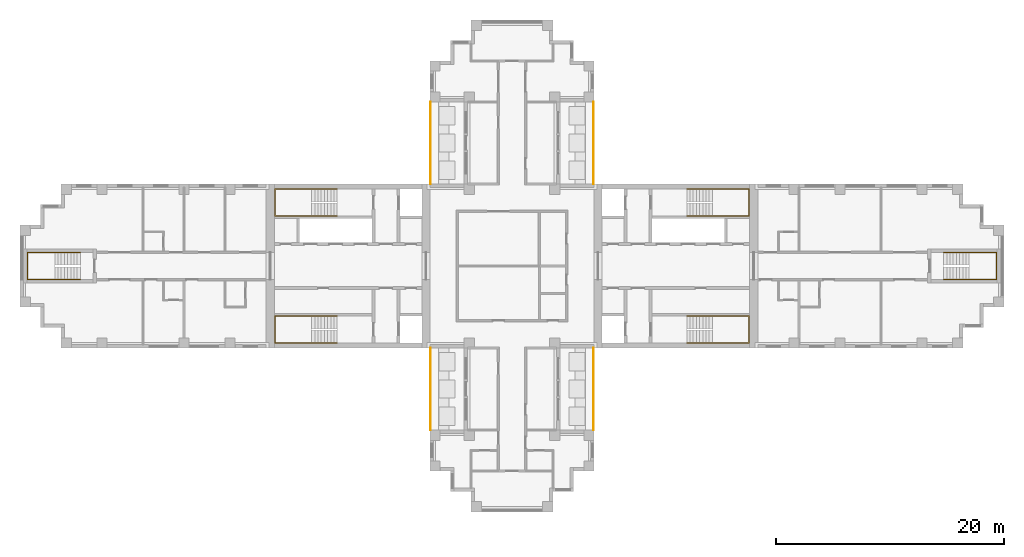
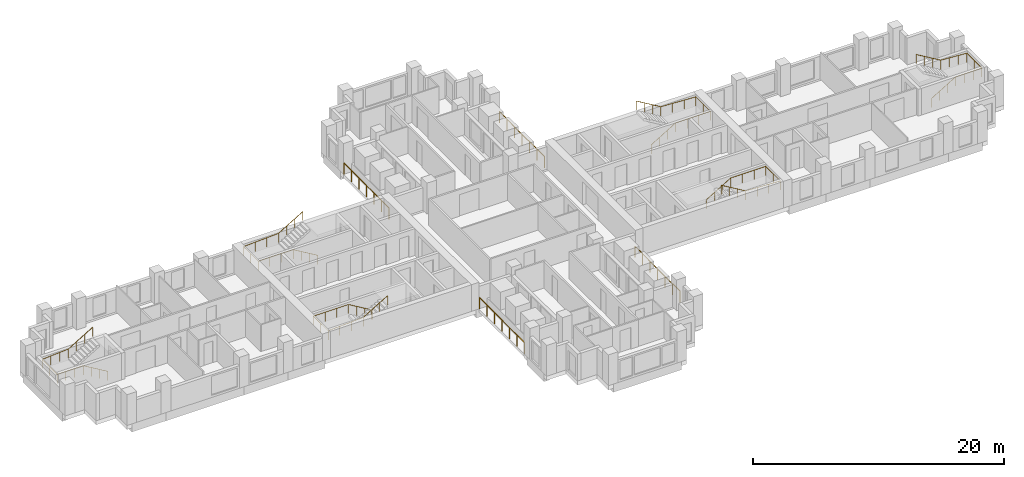
# One storey, part 11 of 12: 10 railings.
"""IFC4 building model written with IfcOpenShell, lengths in metres."""

from ifc_helpers import new_model, si_unit, direction, frame, origin, origin_2d, place, context, subcontext, project, spatial, circle, extrude, material, type_object, element, save


model = new_model("IFC4")

# Units and contexts
model_context = context("Model", 3, precision=1e-05, world=origin(), true_north=direction((0.0, 1.0)))
body_context = subcontext(model_context, "Body", "Model", "MODEL_VIEW")
ifc_project = project(units=[si_unit("LENGTHUNIT", "METRE"), si_unit("AREAUNIT", "SQUARE_METRE"), si_unit("VOLUMEUNIT", "CUBIC_METRE"), si_unit("PLANEANGLEUNIT", "RADIAN"), si_unit("MASSUNIT", "GRAM", prefix="KILO")], contexts=[model_context])

# Site, building, storey
site_placement = place(None, origin())
site = spatial("IfcSite", under=ifc_project, at=site_placement, CompositionType="ELEMENT")
building_placement = place(site_placement, origin())
building = spatial("IfcBuilding", under=site, at=building_placement, Name="Fustian Cross Tower", CompositionType="ELEMENT")
storey_placement = place(building_placement, frame((0.0, 0.0, 135.300048828125)))
storey = spatial("IfcBuildingStorey", under=building, at=storey_placement, Name="L42", CompositionType="ELEMENT", Elevation=135.300048828125)

# Railings
ifc_material_1 = material(Name="Stainless steel and glass", Category="steel")
railing_type_1 = type_object("IfcRailingType", Name="GR1 BALCONY GUARD 1100", PredefinedType="GUARDRAIL", material=ifc_material_1)
for number, where, name in (
    (1, (7.14990234375, 7.199951171875, 0.0), "Balcony guard"),
    (2, (-7.14990234375, 7.199951171875, 0.0), "Balcony guard"),
    (3, (7.14990234375, -14.39990234375, 0.0), "Balcony guard"),
    (4, (-7.14990234375, -14.39990234375, 0.0), "Balcony guard"),
):
    element("IfcRailing", number, at=place(storey_placement, frame(where)), inside=storey, type_object=railing_type_1, Name=name, PredefinedType="GUARDRAIL", context=body_context, shape_type="SweptSolid", body=[
        extrude(circle(Radius=0.02392578125, at=origin_2d()), frame((0.0, 0.0, 1.076171875), z_axis=(0.0, 1.0, 0.0), x_axis=(-1.0, 0.0, 0.0)), (0.0, 0.0, 1.0), 7.199951171875),
        extrude(circle(Radius=0.02099609375, at=origin_2d()), origin(), (0.0, 0.0, 1.0), 1.052001953125),
        extrude(circle(Radius=0.02099609375, at=origin_2d()), frame((0.0, 1.199951171875, 0.0)), (0.0, 0.0, 1.0), 1.052001953125),
        extrude(circle(Radius=0.02099609375, at=origin_2d()), frame((0.0, 2.39990234375, 0.0)), (0.0, 0.0, 1.0), 1.052001953125),
        extrude(circle(Radius=0.02099609375, at=origin_2d()), frame((0.0, 3.60009765625, 0.0)), (0.0, 0.0, 1.0), 1.052001953125),
        extrude(circle(Radius=0.02099609375, at=origin_2d()), frame((0.0, 4.800048828125, 0.0)), (0.0, 0.0, 1.0), 1.052001953125),
        extrude(circle(Radius=0.02099609375, at=origin_2d()), frame((0.0, 6.0, 0.0)), (0.0, 0.0, 1.0), 1.052001953125),
        extrude(circle(Radius=0.02099609375, at=origin_2d()), frame((0.0, 7.199951171875, 0.0)), (0.0, 0.0, 1.0), 1.052001953125),
    ])
ifc_material_2 = material(Name="Stainless steel", Category="steel")
railing_type_2 = type_object("IfcRailingType", Name="STAIR HANDRAIL", PredefinedType="HANDRAIL", material=ifc_material_2)
railing_1_placement = place(storey_placement, frame((15.35009765625, 4.39990234375, 0.16650390625)))
element("IfcRailing", 5, at=railing_1_placement, inside=storey, type_object=railing_type_2, Name="Stair ST1 handrail 1", PredefinedType="HANDRAIL", context=body_context, shape_type="SweptSolid", body=[
    extrude(circle(Radius=0.02490234375, at=origin_2d()), frame((0.0, 0.0, 0.875), z_axis=(0.859264461869, 0.0, 0.511531606619), x_axis=(0.0, 1.0, 0.0)), (0.0, 0.0, 1.0), 2.60693359375),
    extrude(circle(Radius=0.02490234375, at=origin_2d()), frame((2.239990234375, 0.0, 2.20849609375), z_axis=(1.0, 0.0, 0.0), x_axis=(0.0, 1.0, 0.0)), (0.0, 0.0, 1.0), 3.219970703125),
    extrude(circle(Radius=0.02490234375, at=origin_2d()), frame((5.4599609375, 0.0, 2.20849609375), z_axis=(0.0, 1.0, 0.0), x_axis=(-1.0, 0.0, 0.0)), (0.0, 0.0, 1.0), 2.35009765625),
    extrude(circle(Radius=0.02490234375, at=origin_2d()), frame((5.4599609375, 2.35009765625, 2.20849609375), z_axis=(-0.998665725648, 0.0, 0.051640763128), x_axis=(0.0, -1.0, 0.0)), (0.0, 0.0, 1.0), 3.224365234375),
    extrude(circle(Radius=0.02490234375, at=origin_2d()), frame((2.239990234375, 2.35009765625, 2.375), z_axis=(-0.859264461869, 0.0, 0.511531606619), x_axis=(0.0, -1.0, 0.0)), (0.0, 0.0, 1.0), 2.60693359375),
    extrude(circle(Radius=0.02001953125, at=origin_2d()), origin(), (0.0, 0.0, 1.0), 0.849853515625),
    extrude(circle(Radius=0.02001953125, at=origin_2d()), frame((0.74658203125, 0.0, 0.444580078125)), (0.0, 0.0, 1.0), 0.849853515625),
    extrude(circle(Radius=0.02001953125, at=origin_2d()), frame((1.493408203125, 0.0, 0.888916015625)), (0.0, 0.0, 1.0), 0.849853515625),
    extrude(circle(Radius=0.02001953125, at=origin_2d()), frame((2.239990234375, 0.0, 1.33349609375)), (0.0, 0.0, 1.0), 0.849853515625),
    extrude(circle(Radius=0.02001953125, at=origin_2d()), frame((3.313232421875, 0.0, 1.33349609375)), (0.0, 0.0, 1.0), 0.849853515625),
    extrude(circle(Radius=0.02001953125, at=origin_2d()), frame((4.38671875, 0.0, 1.33349609375)), (0.0, 0.0, 1.0), 0.849853515625),
    extrude(circle(Radius=0.02001953125, at=origin_2d()), frame((5.4599609375, 0.0, 1.33349609375)), (0.0, 0.0, 1.0), 0.849853515625),
    extrude(circle(Radius=0.02001953125, at=origin_2d()), frame((5.4599609375, 1.175048828125, 1.33349609375)), (0.0, 0.0, 1.0), 0.849853515625),
    extrude(circle(Radius=0.02001953125, at=origin_2d()), frame((5.4599609375, 2.35009765625, 1.33349609375)), (0.0, 0.0, 1.0), 0.849853515625),
    extrude(circle(Radius=0.02001953125, at=origin_2d()), frame((4.38671875, 2.35009765625, 1.388916015625)), (0.0, 0.0, 1.0), 0.849853515625),
    extrude(circle(Radius=0.02001953125, at=origin_2d()), frame((3.313232421875, 2.35009765625, 1.444580078125)), (0.0, 0.0, 1.0), 0.849853515625),
    extrude(circle(Radius=0.02001953125, at=origin_2d()), frame((2.239990234375, 2.35009765625, 1.5)), (0.0, 0.0, 1.0), 0.849853515625),
    extrude(circle(Radius=0.02001953125, at=origin_2d()), frame((1.493408203125, 2.35009765625, 1.944580078125)), (0.0, 0.0, 1.0), 0.849853515625),
    extrude(circle(Radius=0.02001953125, at=origin_2d()), frame((0.74658203125, 2.35009765625, 2.388916015625)), (0.0, 0.0, 1.0), 0.849853515625),
    extrude(circle(Radius=0.02001953125, at=origin_2d()), frame((0.0, 2.35009765625, 2.83349609375)), (0.0, 0.0, 1.0), 0.849853515625),
])
railing_2_placement = place(storey_placement, frame((15.35009765625, -4.39990234375, 0.16650390625)))
element("IfcRailing", 6, at=railing_2_placement, inside=storey, type_object=railing_type_2, Name="Stair ST2 handrail 1", PredefinedType="HANDRAIL", context=body_context, shape_type="SweptSolid", body=[
    extrude(circle(Radius=0.02490234375, at=origin_2d()), frame((0.0, 0.0, 0.875), z_axis=(0.859264461869, 0.0, 0.511531606619), x_axis=(0.0, 1.0, 0.0)), (0.0, 0.0, 1.0), 2.60693359375),
    extrude(circle(Radius=0.02490234375, at=origin_2d()), frame((2.239990234375, 0.0, 2.20849609375), z_axis=(1.0, 0.0, 0.0), x_axis=(0.0, 1.0, 0.0)), (0.0, 0.0, 1.0), 3.219970703125),
    extrude(circle(Radius=0.02490234375, at=origin_2d()), frame((5.4599609375, 0.0, 2.20849609375), z_axis=(0.0, -1.0, 0.0), x_axis=(1.0, 0.0, 0.0)), (0.0, 0.0, 1.0), 2.35009765625),
    extrude(circle(Radius=0.02490234375, at=origin_2d()), frame((5.4599609375, -2.35009765625, 2.20849609375), z_axis=(-0.998665725648, 0.0, 0.051640763128), x_axis=(0.0, -1.0, 0.0)), (0.0, 0.0, 1.0), 3.224365234375),
    extrude(circle(Radius=0.02490234375, at=origin_2d()), frame((2.239990234375, -2.35009765625, 2.375), z_axis=(-0.859264461869, 0.0, 0.511531606619), x_axis=(0.0, -1.0, 0.0)), (0.0, 0.0, 1.0), 2.60693359375),
    extrude(circle(Radius=0.02001953125, at=origin_2d()), origin(), (0.0, 0.0, 1.0), 0.849853515625),
    extrude(circle(Radius=0.02001953125, at=origin_2d()), frame((0.74658203125, 0.0, 0.444580078125)), (0.0, 0.0, 1.0), 0.849853515625),
    extrude(circle(Radius=0.02001953125, at=origin_2d()), frame((1.493408203125, 0.0, 0.888916015625)), (0.0, 0.0, 1.0), 0.849853515625),
    extrude(circle(Radius=0.02001953125, at=origin_2d()), frame((2.239990234375, 0.0, 1.33349609375)), (0.0, 0.0, 1.0), 0.849853515625),
    extrude(circle(Radius=0.02001953125, at=origin_2d()), frame((3.313232421875, 0.0, 1.33349609375)), (0.0, 0.0, 1.0), 0.849853515625),
    extrude(circle(Radius=0.02001953125, at=origin_2d()), frame((4.38671875, 0.0, 1.33349609375)), (0.0, 0.0, 1.0), 0.849853515625),
    extrude(circle(Radius=0.02001953125, at=origin_2d()), frame((5.4599609375, 0.0, 1.33349609375)), (0.0, 0.0, 1.0), 0.849853515625),
    extrude(circle(Radius=0.02001953125, at=origin_2d()), frame((5.4599609375, -1.175048828125, 1.33349609375)), (0.0, 0.0, 1.0), 0.849853515625),
    extrude(circle(Radius=0.02001953125, at=origin_2d()), frame((5.4599609375, -2.35009765625, 1.33349609375)), (0.0, 0.0, 1.0), 0.849853515625),
    extrude(circle(Radius=0.02001953125, at=origin_2d()), frame((4.38671875, -2.35009765625, 1.388916015625)), (0.0, 0.0, 1.0), 0.849853515625),
    extrude(circle(Radius=0.02001953125, at=origin_2d()), frame((3.313232421875, -2.35009765625, 1.444580078125)), (0.0, 0.0, 1.0), 0.849853515625),
    extrude(circle(Radius=0.02001953125, at=origin_2d()), frame((2.239990234375, -2.35009765625, 1.5)), (0.0, 0.0, 1.0), 0.849853515625),
    extrude(circle(Radius=0.02001953125, at=origin_2d()), frame((1.493408203125, -2.35009765625, 1.944580078125)), (0.0, 0.0, 1.0), 0.849853515625),
    extrude(circle(Radius=0.02001953125, at=origin_2d()), frame((0.74658203125, -2.35009765625, 2.388916015625)), (0.0, 0.0, 1.0), 0.849853515625),
    extrude(circle(Radius=0.02001953125, at=origin_2d()), frame((0.0, -2.35009765625, 2.83349609375)), (0.0, 0.0, 1.0), 0.849853515625),
])
railing_3_placement = place(storey_placement, frame((-15.35009765625, 4.39990234375, 0.16650390625)))
element("IfcRailing", 7, at=railing_3_placement, inside=storey, type_object=railing_type_2, Name="Stair ST3 handrail 1", PredefinedType="HANDRAIL", context=body_context, shape_type="SweptSolid", body=[
    extrude(circle(Radius=0.02490234375, at=origin_2d()), frame((0.0, 0.0, 0.875), z_axis=(-0.859264461869, 0.0, 0.511531606619), x_axis=(0.0, -1.0, 0.0)), (0.0, 0.0, 1.0), 2.60693359375),
    extrude(circle(Radius=0.02490234375, at=origin_2d()), frame((-2.239990234375, 0.0, 2.20849609375), z_axis=(-1.0, 0.0, 0.0), x_axis=(0.0, -1.0, 0.0)), (0.0, 0.0, 1.0), 3.219970703125),
    extrude(circle(Radius=0.02490234375, at=origin_2d()), frame((-5.4599609375, 0.0, 2.20849609375), z_axis=(0.0, 1.0, 0.0), x_axis=(-1.0, 0.0, 0.0)), (0.0, 0.0, 1.0), 2.35009765625),
    extrude(circle(Radius=0.02490234375, at=origin_2d()), frame((-5.4599609375, 2.35009765625, 2.20849609375), z_axis=(0.998665725648, 0.0, 0.051640763128), x_axis=(0.0, 1.0, 0.0)), (0.0, 0.0, 1.0), 3.224365234375),
    extrude(circle(Radius=0.02490234375, at=origin_2d()), frame((-2.239990234375, 2.35009765625, 2.375), z_axis=(0.859264461869, 0.0, 0.511531606619), x_axis=(0.0, 1.0, 0.0)), (0.0, 0.0, 1.0), 2.60693359375),
    extrude(circle(Radius=0.02001953125, at=origin_2d()), origin(), (0.0, 0.0, 1.0), 0.849853515625),
    extrude(circle(Radius=0.02001953125, at=origin_2d()), frame((-0.74658203125, 0.0, 0.444580078125)), (0.0, 0.0, 1.0), 0.849853515625),
    extrude(circle(Radius=0.02001953125, at=origin_2d()), frame((-1.493408203125, 0.0, 0.888916015625)), (0.0, 0.0, 1.0), 0.849853515625),
    extrude(circle(Radius=0.02001953125, at=origin_2d()), frame((-2.239990234375, 0.0, 1.33349609375)), (0.0, 0.0, 1.0), 0.849853515625),
    extrude(circle(Radius=0.02001953125, at=origin_2d()), frame((-3.313232421875, 0.0, 1.33349609375)), (0.0, 0.0, 1.0), 0.849853515625),
    extrude(circle(Radius=0.02001953125, at=origin_2d()), frame((-4.38671875, 0.0, 1.33349609375)), (0.0, 0.0, 1.0), 0.849853515625),
    extrude(circle(Radius=0.02001953125, at=origin_2d()), frame((-5.4599609375, 0.0, 1.33349609375)), (0.0, 0.0, 1.0), 0.849853515625),
    extrude(circle(Radius=0.02001953125, at=origin_2d()), frame((-5.4599609375, 1.175048828125, 1.33349609375)), (0.0, 0.0, 1.0), 0.849853515625),
    extrude(circle(Radius=0.02001953125, at=origin_2d()), frame((-5.4599609375, 2.35009765625, 1.33349609375)), (0.0, 0.0, 1.0), 0.849853515625),
    extrude(circle(Radius=0.02001953125, at=origin_2d()), frame((-4.38671875, 2.35009765625, 1.388916015625)), (0.0, 0.0, 1.0), 0.849853515625),
    extrude(circle(Radius=0.02001953125, at=origin_2d()), frame((-3.313232421875, 2.35009765625, 1.444580078125)), (0.0, 0.0, 1.0), 0.849853515625),
    extrude(circle(Radius=0.02001953125, at=origin_2d()), frame((-2.239990234375, 2.35009765625, 1.5)), (0.0, 0.0, 1.0), 0.849853515625),
    extrude(circle(Radius=0.02001953125, at=origin_2d()), frame((-1.493408203125, 2.35009765625, 1.944580078125)), (0.0, 0.0, 1.0), 0.849853515625),
    extrude(circle(Radius=0.02001953125, at=origin_2d()), frame((-0.74658203125, 2.35009765625, 2.388916015625)), (0.0, 0.0, 1.0), 0.849853515625),
    extrude(circle(Radius=0.02001953125, at=origin_2d()), frame((0.0, 2.35009765625, 2.83349609375)), (0.0, 0.0, 1.0), 0.849853515625),
])
railing_4_placement = place(storey_placement, frame((-15.35009765625, -4.39990234375, 0.16650390625)))
element("IfcRailing", 8, at=railing_4_placement, inside=storey, type_object=railing_type_2, Name="Stair ST4 handrail 1", PredefinedType="HANDRAIL", context=body_context, shape_type="SweptSolid", body=[
    extrude(circle(Radius=0.02490234375, at=origin_2d()), frame((0.0, 0.0, 0.875), z_axis=(-0.859264461869, 0.0, 0.511531606619), x_axis=(0.0, -1.0, 0.0)), (0.0, 0.0, 1.0), 2.60693359375),
    extrude(circle(Radius=0.02490234375, at=origin_2d()), frame((-2.239990234375, 0.0, 2.20849609375), z_axis=(-1.0, 0.0, 0.0), x_axis=(0.0, -1.0, 0.0)), (0.0, 0.0, 1.0), 3.219970703125),
    extrude(circle(Radius=0.02490234375, at=origin_2d()), frame((-5.4599609375, 0.0, 2.20849609375), z_axis=(0.0, -1.0, 0.0), x_axis=(1.0, 0.0, 0.0)), (0.0, 0.0, 1.0), 2.35009765625),
    extrude(circle(Radius=0.02490234375, at=origin_2d()), frame((-5.4599609375, -2.35009765625, 2.20849609375), z_axis=(0.998665725648, 0.0, 0.051640763128), x_axis=(0.0, 1.0, 0.0)), (0.0, 0.0, 1.0), 3.224365234375),
    extrude(circle(Radius=0.02490234375, at=origin_2d()), frame((-2.239990234375, -2.35009765625, 2.375), z_axis=(0.859264461869, 0.0, 0.511531606619), x_axis=(0.0, 1.0, 0.0)), (0.0, 0.0, 1.0), 2.60693359375),
    extrude(circle(Radius=0.02001953125, at=origin_2d()), origin(), (0.0, 0.0, 1.0), 0.849853515625),
    extrude(circle(Radius=0.02001953125, at=origin_2d()), frame((-0.74658203125, 0.0, 0.444580078125)), (0.0, 0.0, 1.0), 0.849853515625),
    extrude(circle(Radius=0.02001953125, at=origin_2d()), frame((-1.493408203125, 0.0, 0.888916015625)), (0.0, 0.0, 1.0), 0.849853515625),
    extrude(circle(Radius=0.02001953125, at=origin_2d()), frame((-2.239990234375, 0.0, 1.33349609375)), (0.0, 0.0, 1.0), 0.849853515625),
    extrude(circle(Radius=0.02001953125, at=origin_2d()), frame((-3.313232421875, 0.0, 1.33349609375)), (0.0, 0.0, 1.0), 0.849853515625),
    extrude(circle(Radius=0.02001953125, at=origin_2d()), frame((-4.38671875, 0.0, 1.33349609375)), (0.0, 0.0, 1.0), 0.849853515625),
    extrude(circle(Radius=0.02001953125, at=origin_2d()), frame((-5.4599609375, 0.0, 1.33349609375)), (0.0, 0.0, 1.0), 0.849853515625),
    extrude(circle(Radius=0.02001953125, at=origin_2d()), frame((-5.4599609375, -1.175048828125, 1.33349609375)), (0.0, 0.0, 1.0), 0.849853515625),
    extrude(circle(Radius=0.02001953125, at=origin_2d()), frame((-5.4599609375, -2.35009765625, 1.33349609375)), (0.0, 0.0, 1.0), 0.849853515625),
    extrude(circle(Radius=0.02001953125, at=origin_2d()), frame((-4.38671875, -2.35009765625, 1.388916015625)), (0.0, 0.0, 1.0), 0.849853515625),
    extrude(circle(Radius=0.02001953125, at=origin_2d()), frame((-3.313232421875, -2.35009765625, 1.444580078125)), (0.0, 0.0, 1.0), 0.849853515625),
    extrude(circle(Radius=0.02001953125, at=origin_2d()), frame((-2.239990234375, -2.35009765625, 1.5)), (0.0, 0.0, 1.0), 0.849853515625),
    extrude(circle(Radius=0.02001953125, at=origin_2d()), frame((-1.493408203125, -2.35009765625, 1.944580078125)), (0.0, 0.0, 1.0), 0.849853515625),
    extrude(circle(Radius=0.02001953125, at=origin_2d()), frame((-0.74658203125, -2.35009765625, 2.388916015625)), (0.0, 0.0, 1.0), 0.849853515625),
    extrude(circle(Radius=0.02001953125, at=origin_2d()), frame((0.0, -2.35009765625, 2.83349609375)), (0.0, 0.0, 1.0), 0.849853515625),
])
railing_5_placement = place(storey_placement, frame((37.89990234375, -1.199951171875, 0.16650390625)))
element("IfcRailing", 9, at=railing_5_placement, inside=storey, type_object=railing_type_2, Name="Stair ST8 handrail 1", PredefinedType="HANDRAIL", context=body_context, shape_type="SweptSolid", body=[
    extrude(circle(Radius=0.02490234375, at=origin_2d()), frame((0.0, 0.0, 0.875), z_axis=(0.859264461869, 0.0, 0.511531606619), x_axis=(0.0, 1.0, 0.0)), (0.0, 0.0, 1.0), 2.60693359375),
    extrude(circle(Radius=0.02490234375, at=origin_2d()), frame((2.239990234375, 0.0, 2.20849609375), z_axis=(1.0, 0.0, 0.0), x_axis=(0.0, 1.0, 0.0)), (0.0, 0.0, 1.0), 2.420166015625),
    extrude(circle(Radius=0.02490234375, at=origin_2d()), frame((4.66015625, 0.0, 2.20849609375), z_axis=(0.0, 1.0, 0.0), x_axis=(-1.0, 0.0, 0.0)), (0.0, 0.0, 1.0), 2.39990234375),
    extrude(circle(Radius=0.02490234375, at=origin_2d()), frame((4.66015625, 2.39990234375, 2.20849609375), z_axis=(-0.997641748275, 0.0, 0.068636303069), x_axis=(0.0, -1.0, 0.0)), (0.0, 0.0, 1.0), 2.42578125),
    extrude(circle(Radius=0.02490234375, at=origin_2d()), frame((2.239990234375, 2.39990234375, 2.375), z_axis=(-0.859264461869, 0.0, 0.511531606619), x_axis=(0.0, -1.0, 0.0)), (0.0, 0.0, 1.0), 2.60693359375),
    extrude(circle(Radius=0.02001953125, at=origin_2d()), origin(), (0.0, 0.0, 1.0), 0.849853515625),
    extrude(circle(Radius=0.02001953125, at=origin_2d()), frame((0.74658203125, 0.0, 0.444580078125)), (0.0, 0.0, 1.0), 0.849853515625),
    extrude(circle(Radius=0.02001953125, at=origin_2d()), frame((1.493408203125, 0.0, 0.888916015625)), (0.0, 0.0, 1.0), 0.849853515625),
    extrude(circle(Radius=0.02001953125, at=origin_2d()), frame((2.239990234375, 0.0, 1.33349609375)), (0.0, 0.0, 1.0), 0.849853515625),
    extrude(circle(Radius=0.02001953125, at=origin_2d()), frame((3.046630859375, 0.0, 1.33349609375)), (0.0, 0.0, 1.0), 0.849853515625),
    extrude(circle(Radius=0.02001953125, at=origin_2d()), frame((3.853515625, 0.0, 1.33349609375)), (0.0, 0.0, 1.0), 0.849853515625),
    extrude(circle(Radius=0.02001953125, at=origin_2d()), frame((4.66015625, 0.0, 1.33349609375)), (0.0, 0.0, 1.0), 0.849853515625),
    extrude(circle(Radius=0.02001953125, at=origin_2d()), frame((4.66015625, 1.199951171875, 1.33349609375)), (0.0, 0.0, 1.0), 0.849853515625),
    extrude(circle(Radius=0.02001953125, at=origin_2d()), frame((4.66015625, 2.39990234375, 1.33349609375)), (0.0, 0.0, 1.0), 0.849853515625),
    extrude(circle(Radius=0.02001953125, at=origin_2d()), frame((3.853515625, 2.39990234375, 1.388916015625)), (0.0, 0.0, 1.0), 0.849853515625),
    extrude(circle(Radius=0.02001953125, at=origin_2d()), frame((3.046630859375, 2.39990234375, 1.444580078125)), (0.0, 0.0, 1.0), 0.849853515625),
    extrude(circle(Radius=0.02001953125, at=origin_2d()), frame((2.239990234375, 2.39990234375, 1.5)), (0.0, 0.0, 1.0), 0.849853515625),
    extrude(circle(Radius=0.02001953125, at=origin_2d()), frame((1.493408203125, 2.39990234375, 1.944580078125)), (0.0, 0.0, 1.0), 0.849853515625),
    extrude(circle(Radius=0.02001953125, at=origin_2d()), frame((0.74658203125, 2.39990234375, 2.388916015625)), (0.0, 0.0, 1.0), 0.849853515625),
    extrude(circle(Radius=0.02001953125, at=origin_2d()), frame((0.0, 2.39990234375, 2.83349609375)), (0.0, 0.0, 1.0), 0.849853515625),
])
railing_6_placement = place(storey_placement, frame((-37.89990234375, -1.199951171875, 0.16650390625)))
element("IfcRailing", 10, at=railing_6_placement, inside=storey, type_object=railing_type_2, Name="Stair ST9 handrail 1", PredefinedType="HANDRAIL", context=body_context, shape_type="SweptSolid", body=[
    extrude(circle(Radius=0.02490234375, at=origin_2d()), frame((0.0, 0.0, 0.875), z_axis=(-0.859264461869, 0.0, 0.511531606619), x_axis=(0.0, -1.0, 0.0)), (0.0, 0.0, 1.0), 2.60693359375),
    extrude(circle(Radius=0.02490234375, at=origin_2d()), frame((-2.239990234375, 0.0, 2.20849609375), z_axis=(-1.0, 0.0, 0.0), x_axis=(0.0, -1.0, 0.0)), (0.0, 0.0, 1.0), 2.420166015625),
    extrude(circle(Radius=0.02490234375, at=origin_2d()), frame((-4.66015625, 0.0, 2.20849609375), z_axis=(0.0, 1.0, 0.0), x_axis=(-1.0, 0.0, 0.0)), (0.0, 0.0, 1.0), 2.39990234375),
    extrude(circle(Radius=0.02490234375, at=origin_2d()), frame((-4.66015625, 2.39990234375, 2.20849609375), z_axis=(0.997641748275, 0.0, 0.068636303069), x_axis=(0.0, 1.0, 0.0)), (0.0, 0.0, 1.0), 2.42578125),
    extrude(circle(Radius=0.02490234375, at=origin_2d()), frame((-2.239990234375, 2.39990234375, 2.375), z_axis=(0.859264461869, 0.0, 0.511531606619), x_axis=(0.0, 1.0, 0.0)), (0.0, 0.0, 1.0), 2.60693359375),
    extrude(circle(Radius=0.02001953125, at=origin_2d()), origin(), (0.0, 0.0, 1.0), 0.849853515625),
    extrude(circle(Radius=0.02001953125, at=origin_2d()), frame((-0.74658203125, 0.0, 0.444580078125)), (0.0, 0.0, 1.0), 0.849853515625),
    extrude(circle(Radius=0.02001953125, at=origin_2d()), frame((-1.493408203125, 0.0, 0.888916015625)), (0.0, 0.0, 1.0), 0.849853515625),
    extrude(circle(Radius=0.02001953125, at=origin_2d()), frame((-2.239990234375, 0.0, 1.33349609375)), (0.0, 0.0, 1.0), 0.849853515625),
    extrude(circle(Radius=0.02001953125, at=origin_2d()), frame((-3.046630859375, 0.0, 1.33349609375)), (0.0, 0.0, 1.0), 0.849853515625),
    extrude(circle(Radius=0.02001953125, at=origin_2d()), frame((-3.853515625, 0.0, 1.33349609375)), (0.0, 0.0, 1.0), 0.849853515625),
    extrude(circle(Radius=0.02001953125, at=origin_2d()), frame((-4.66015625, 0.0, 1.33349609375)), (0.0, 0.0, 1.0), 0.849853515625),
    extrude(circle(Radius=0.02001953125, at=origin_2d()), frame((-4.66015625, 1.199951171875, 1.33349609375)), (0.0, 0.0, 1.0), 0.849853515625),
    extrude(circle(Radius=0.02001953125, at=origin_2d()), frame((-4.66015625, 2.39990234375, 1.33349609375)), (0.0, 0.0, 1.0), 0.849853515625),
    extrude(circle(Radius=0.02001953125, at=origin_2d()), frame((-3.853515625, 2.39990234375, 1.388916015625)), (0.0, 0.0, 1.0), 0.849853515625),
    extrude(circle(Radius=0.02001953125, at=origin_2d()), frame((-3.046630859375, 2.39990234375, 1.444580078125)), (0.0, 0.0, 1.0), 0.849853515625),
    extrude(circle(Radius=0.02001953125, at=origin_2d()), frame((-2.239990234375, 2.39990234375, 1.5)), (0.0, 0.0, 1.0), 0.849853515625),
    extrude(circle(Radius=0.02001953125, at=origin_2d()), frame((-1.493408203125, 2.39990234375, 1.944580078125)), (0.0, 0.0, 1.0), 0.849853515625),
    extrude(circle(Radius=0.02001953125, at=origin_2d()), frame((-0.74658203125, 2.39990234375, 2.388916015625)), (0.0, 0.0, 1.0), 0.849853515625),
    extrude(circle(Radius=0.02001953125, at=origin_2d()), frame((0.0, 2.39990234375, 2.83349609375)), (0.0, 0.0, 1.0), 0.849853515625),
])

save(model, "model.ifc")
